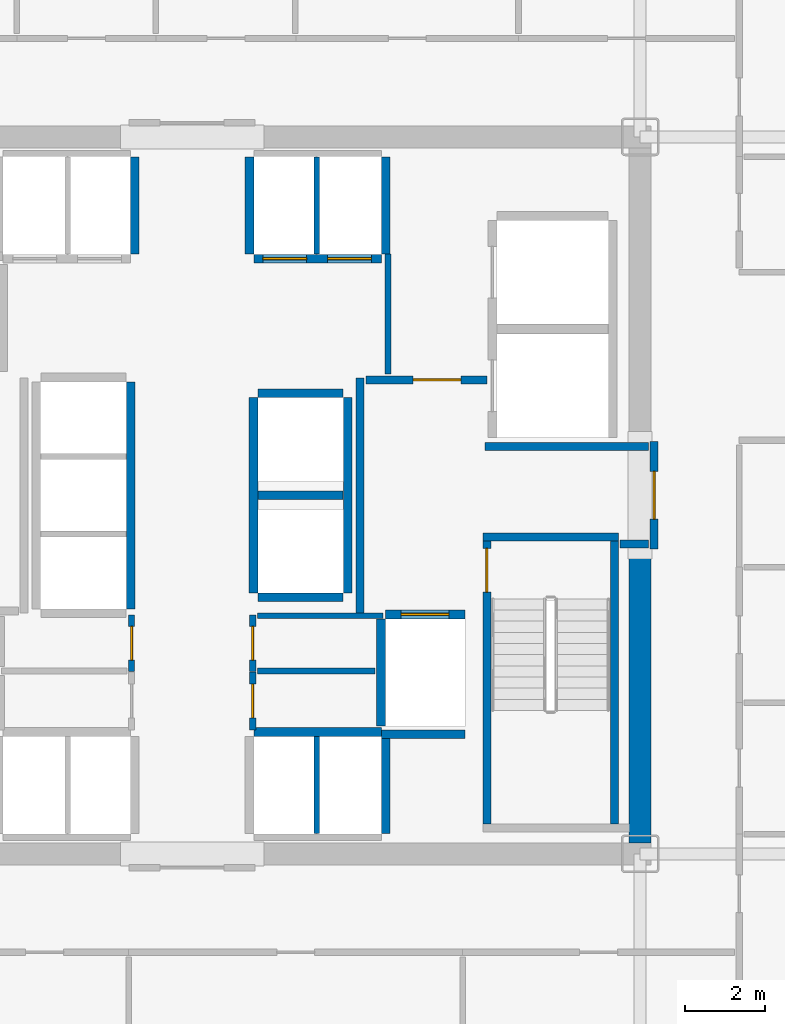
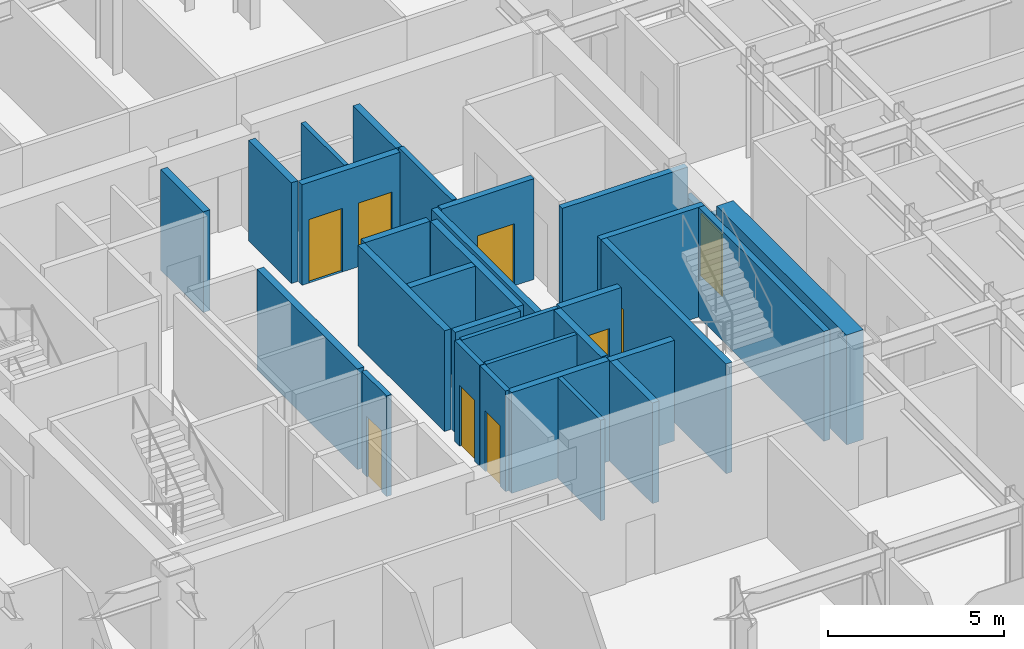
# One storey, part 22 of 26: 32 walls, 9 doors, 9 openings.
"""IFC4 building model written with IfcOpenShell, lengths in metres."""

from ifc_helpers import new_model, si_unit, direction, frame, frame_2d, origin, place, context, subcontext, project, spatial, rectangle, extrude, source, transform, mapped, material, layer, layer_set, type_object, element, fill, save


model = new_model("IFC4")

# Units and contexts
model_context = context("Model", 3, precision=1e-05, world=origin(), true_north=direction((0.0, 1.0)))
body_context = subcontext(model_context, "Body", "Model", "MODEL_VIEW")
ifc_project = project(units=[si_unit("LENGTHUNIT", "METRE"), si_unit("AREAUNIT", "SQUARE_METRE"), si_unit("VOLUMEUNIT", "CUBIC_METRE"), si_unit("PLANEANGLEUNIT", "RADIAN"), si_unit("MASSUNIT", "GRAM", prefix="KILO")], contexts=[model_context])

# Site, building, storey
site_placement = place(None, origin())
site = spatial("IfcSite", under=ifc_project, at=site_placement, CompositionType="ELEMENT")
building_placement = place(site_placement, origin())
building = spatial("IfcBuilding", under=site, at=building_placement, Name="Nefas-Gora Pilgrimage Tower", CompositionType="ELEMENT")
storey_placement = place(building_placement, frame((0.0, 0.0, 140.199951171875)))
storey = spatial("IfcBuildingStorey", under=building, at=storey_placement, Name="L34", CompositionType="ELEMENT", Elevation=140.199951171875)

# Walls
ifc_material_1 = material(Name="Concrete C60/75", Category="concrete")
ifc_layer_1 = layer(ifc_material_1, 0.550048828125)
ifc_layer_set_1 = layer_set([ifc_layer_1], Name="Concrete C60/75")
wall_type_1 = type_object("IfcWallType", Name="SW-CORE-550", PredefinedType="SHEAR", material=ifc_layer_set_1)
shared_shape_1 = source(origin(), body_context, "Body", "SweptSolid", [
    extrude(rectangle(XDim=7.375, YDim=0.550048828125, at=frame_2d((3.6875, 0.0))), origin(), (0.0, 0.0, 1.0), 3.800048828125),
])
wall_1_placement = place(storey_placement, frame((11.25, -8.72509765625, 0.0), z_axis=(0.0, 0.0, 1.0), x_axis=(0.0, 1.0, 0.0)))
element("IfcWall", 1, at=wall_1_placement, inside=storey, type_object=wall_type_1, Name="L34 Core Shear Wall E-South", PredefinedType="SHEAR", context=body_context, shape_type="MappedRepresentation", body=[
    mapped(shared_shape_1, transform((0.0, 0.0, 0.0), x_axis=(1.0, 0.0, 0.0), y_axis=(0.0, 1.0, 0.0), z_axis=(0.0, 0.0, 1.0), scale=1.0)),
])
ifc_material_2 = material(Name="Concrete C45/55", Category="concrete")
ifc_layer_2 = layer(ifc_material_2, 0.199951171875)
ifc_layer_set_2 = layer_set([ifc_layer_2], Name="Concrete C45/55")
wall_type_2 = type_object("IfcWallType", Name="IW-STAIR-200", PredefinedType="SOLIDWALL", material=ifc_layer_set_2)
shared_shape_2 = source(origin(), body_context, "Body", "SweptSolid", [
    extrude(rectangle(XDim=3.39990234375, YDim=0.199951171875, at=frame_2d((1.699951171875, 0.0))), origin(), (0.0, 0.0, 1.0), 3.800048828125),
])
wall_2_placement = place(storey_placement, frame((7.300048828125, -1.050048828125, 0.0), z_axis=(0.0, 0.0, 1.0), x_axis=(1.0, 0.0, 0.0)))
element("IfcWall", 2, at=wall_2_placement, inside=storey, type_object=wall_type_2, Name="L34 Stairwell Shear Wall ST-02-near", PredefinedType="SOLIDWALL", context=body_context, shape_type="MappedRepresentation", body=[
    mapped(shared_shape_2, transform((0.0, 0.0, 0.0), x_axis=(1.0, 0.0, 0.0), y_axis=(0.0, 1.0, 0.0), z_axis=(0.0, 0.0, 1.0), scale=1.0)),
])

# Wall, opening, door
shared_shape_3 = source(origin(), body_context, "Body", "SweptSolid", [
    extrude(rectangle(XDim=7.10009765625, YDim=0.199951171875, at=frame_2d((3.550048828125, 0.0))), origin(), (0.0, 0.0, 1.0), 3.800048828125),
])
wall_3_placement = place(storey_placement, frame((7.39990234375, -1.14990234375, 0.0), z_axis=(0.0, 0.0, 1.0), x_axis=(0.0, -1.0, 0.0)))
wall_3 = element("IfcWall", 3, at=wall_3_placement, inside=storey, type_object=wall_type_2, Name="L34 Stairwell Shear Wall ST-02-left", PredefinedType="SOLIDWALL", context=body_context, shape_type="MappedRepresentation", body=[
    mapped(shared_shape_3, transform((0.0, 0.0, 0.0), x_axis=(1.0, 0.0, 0.0), y_axis=(0.0, 1.0, 0.0), z_axis=(0.0, 0.0, 1.0), scale=1.0)),
])
opening_1_placement = place(wall_3_placement, frame((0.179931640625, 0.0, 0.0)))
opening_1 = element("IfcOpeningElement", 4, at=opening_1_placement, cuts=wall_3, Name="Opening ID-ST1", PredefinedType="OPENING", context=body_context, shape_type="SweptSolid", body=[
    extrude(rectangle(XDim=1.10009765625, YDim=2.14990234375, at=frame_2d((0.550048828125, 1.074951171875))), frame((0.0, 0.10986328125, 0.0), z_axis=(0.0, -1.0, 0.0), x_axis=(1.0, 0.0, 0.0)), (0.0, 0.0, 1.0), 0.219970703125),
])
ifc_material_3 = material(Name="Painted galvanised steel fire stair door", Category="steel")
door_type_1 = type_object("IfcDoorType", Name="DR-INT-STAIR-1100", OperationType="NOTDEFINED", PredefinedType="DOOR", material=ifc_material_3)
shared_shape_4 = source(origin(), body_context, "Body", "SweptSolid", [
    extrude(rectangle(XDim=1.10009765625, YDim=2.14990234375, at=frame_2d((0.550048828125, 1.074951171875))), frame((0.0, 0.02490234375, 0.0), z_axis=(0.0, -1.0, 0.0), x_axis=(1.0, 0.0, 0.0)), (0.0, 0.0, 1.0), 0.050048828125),
])
door_1_placement = place(opening_1_placement, origin())
door_1 = element("IfcDoor", 5, at=door_1_placement, inside=storey, type_object=door_type_1, Name="L34 Protected Exit Stair Door ST-02", OperationType="SINGLE_SWING_LEFT", OverallHeight=2.14990234375, OverallWidth=1.10009765625, PredefinedType="DOOR", context=body_context, shape_type="MappedRepresentation", body=[
    mapped(shared_shape_4, transform((0.0, 0.0, 0.0), x_axis=(1.0, 0.0, 0.0), y_axis=(0.0, 1.0, 0.0), z_axis=(0.0, 0.0, 1.0), scale=1.0)),
])
fill(opening_1, door_1)

# Wall
wall_4_placement = place(storey_placement, frame((10.60009765625, -1.14990234375, 0.0), z_axis=(0.0, 0.0, 1.0), x_axis=(0.0, -1.0, 0.0)))
element("IfcWall", 6, at=wall_4_placement, inside=storey, type_object=wall_type_2, Name="L34 Stairwell Shear Wall ST-02-right", PredefinedType="SOLIDWALL", context=body_context, shape_type="MappedRepresentation", body=[
    mapped(shared_shape_3, transform((0.0, 0.0, 0.0), x_axis=(1.0, 0.0, 0.0), y_axis=(0.0, 1.0, 0.0), z_axis=(0.0, 0.0, 1.0), scale=1.0)),
])

# Wall, opening, door
ifc_material_4 = material(Name="Concrete C40/50", Category="concrete")
ifc_layer_3 = layer(ifc_material_4, 0.219970703125)
ifc_layer_set_3 = layer_set([ifc_layer_3], Name="Concrete C40/50")
wall_type_3 = type_object("IfcWallType", Name="IW-SHAFT-220", PredefinedType="SOLIDWALL", material=ifc_layer_set_3)
shared_shape_5 = source(origin(), body_context, "Body", "SweptSolid", [
    extrude(rectangle(XDim=2.0, YDim=0.219970703125, at=frame_2d((1.0, 0.0))), origin(), (0.0, 0.0, 1.0), 3.485107421875),
])
wall_5_placement = place(storey_placement, frame((6.85009765625, -2.989990234375, 0.0), z_axis=(0.0, 0.0, 1.0), x_axis=(-1.0, 0.0, 0.0)))
wall_5 = element("IfcWall", 7, at=wall_5_placement, inside=storey, type_object=wall_type_3, Name="L34 Hoistway Wall FFL-02-N", PredefinedType="SOLIDWALL", context=body_context, shape_type="MappedRepresentation", body=[
    mapped(shared_shape_5, transform((0.0, 0.0, 0.0), x_axis=(1.0, 0.0, 0.0), y_axis=(0.0, 1.0, 0.0), z_axis=(0.0, 0.0, 1.0), scale=1.0)),
])
opening_2_placement = place(wall_5_placement, frame((0.39990234375, 0.0, 0.0)))
opening_2 = element("IfcOpeningElement", 8, at=opening_2_placement, cuts=wall_5, Name="Opening LD-FF", PredefinedType="OPENING", context=body_context, shape_type="SweptSolid", body=[
    extrude(rectangle(XDim=1.199951171875, YDim=2.199951171875, at=frame_2d((0.60009765625, 1.10009765625))), frame((0.0, 0.119873046875, 0.0), z_axis=(0.0, -1.0, 0.0), x_axis=(1.0, 0.0, 0.0)), (0.0, 0.0, 1.0), 0.239990234375),
])
ifc_material_5 = material(Name="Fire-service sliding lift landing door")
door_type_2 = type_object("IfcDoorType", Name="DR-LIFT-FSAE-1200", OperationType="SLIDING_TO_LEFT", PredefinedType="DOOR", material=ifc_material_5)
shared_shape_6 = source(origin(), body_context, "Body", "SweptSolid", [
    extrude(rectangle(XDim=1.199951171875, YDim=2.199951171875, at=frame_2d((0.60009765625, 1.10009765625))), frame((0.0, 0.02490234375, 0.0), z_axis=(0.0, -1.0, 0.0), x_axis=(1.0, 0.0, 0.0)), (0.0, 0.0, 1.0), 0.050048828125),
])
door_2_placement = place(opening_2_placement, origin())
door_2 = element("IfcDoor", 9, at=door_2_placement, inside=storey, type_object=door_type_2, Name="L34 Sliding Lift Landing Door FFL-02", OperationType="SLIDING_TO_LEFT", OverallHeight=2.199951171875, OverallWidth=1.199951171875, PredefinedType="DOOR", context=body_context, shape_type="MappedRepresentation", body=[
    mapped(shared_shape_6, transform((0.0, 0.0, 0.0), x_axis=(1.0, 0.0, 0.0), y_axis=(0.0, 1.0, 0.0), z_axis=(0.0, 0.0, 1.0), scale=1.0)),
])
fill(opening_2, door_2)

# Wall
shared_shape_7 = source(origin(), body_context, "Body", "SweptSolid", [
    extrude(rectangle(XDim=2.679931640625, YDim=0.219970703125, at=frame_2d((1.33984375, 0.0))), origin(), (0.0, 0.0, 1.0), 3.485107421875),
])
wall_6_placement = place(storey_placement, frame((4.739990234375, -3.110107421875, 0.0), z_axis=(0.0, 0.0, 1.0), x_axis=(0.0, -1.0, 0.0)))
element("IfcWall", 10, at=wall_6_placement, inside=storey, type_object=wall_type_3, Name="L34 Hoistway Wall FFL-02-W", PredefinedType="SOLIDWALL", context=body_context, shape_type="MappedRepresentation", body=[
    mapped(shared_shape_7, transform((0.0, 0.0, 0.0), x_axis=(1.0, 0.0, 0.0), y_axis=(0.0, 1.0, 0.0), z_axis=(0.0, 0.0, 1.0), scale=1.0)),
])

# Wall, openings, doors
shared_shape_8 = source(origin(), body_context, "Body", "SweptSolid", [
    extrude(rectangle(XDim=3.199951171875, YDim=0.219970703125, at=frame_2d((1.60009765625, 0.0))), origin(), (0.0, 0.0, 1.0), 3.485107421875),
])
wall_7_placement = place(storey_placement, frame((1.550048828125, 5.93994140625, 0.0), z_axis=(0.0, 0.0, 1.0), x_axis=(1.0, 0.0, 0.0)))
wall_7 = element("IfcWall", 11, at=wall_7_placement, inside=storey, type_object=wall_type_3, Name="L34 Hoistway Wall PL1-E-S", PredefinedType="SOLIDWALL", context=body_context, shape_type="MappedRepresentation", body=[
    mapped(shared_shape_8, transform((0.0, 0.0, 0.0), x_axis=(1.0, 0.0, 0.0), y_axis=(0.0, 1.0, 0.0), z_axis=(0.0, 0.0, 1.0), scale=1.0)),
])
opening_3_placement = place(wall_7_placement, frame((0.22509765625, 0.0, 0.0)))
opening_3 = element("IfcOpeningElement", 12, at=opening_3_placement, cuts=wall_7, Name="Opening LD-01", PredefinedType="OPENING", context=body_context, shape_type="SweptSolid", body=[
    extrude(rectangle(XDim=1.10009765625, YDim=2.199951171875, at=frame_2d((0.550048828125, 1.10009765625))), frame((0.0, 0.119873046875, 0.0), z_axis=(0.0, -1.0, 0.0), x_axis=(1.0, 0.0, 0.0)), (0.0, 0.0, 1.0), 0.239990234375),
])
opening_4_placement = place(wall_7_placement, frame((1.85009765625, 0.0, 0.0)))
opening_4 = element("IfcOpeningElement", 13, at=opening_4_placement, cuts=wall_7, Name="Opening LD-01", PredefinedType="OPENING", context=body_context, shape_type="SweptSolid", body=[
    extrude(rectangle(XDim=1.10009765625, YDim=2.199951171875, at=frame_2d((0.550048828125, 1.10009765625))), frame((0.0, 0.119873046875, 0.0), z_axis=(0.0, -1.0, 0.0), x_axis=(1.0, 0.0, 0.0)), (0.0, 0.0, 1.0), 0.239990234375),
])
ifc_material_6 = material(Name="Brushed stainless sliding lift landing door")
door_type_3 = type_object("IfcDoorType", Name="DR-LIFT-PASS-1100", OperationType="DOUBLE_DOOR_SLIDING", PredefinedType="DOOR", material=ifc_material_6)
shared_shape_9 = source(origin(), body_context, "Body", "SweptSolid", [
    extrude(rectangle(XDim=1.10009765625, YDim=2.199951171875, at=frame_2d((0.550048828125, 1.10009765625))), frame((0.0, 0.02490234375, 0.0), z_axis=(0.0, -1.0, 0.0), x_axis=(1.0, 0.0, 0.0)), (0.0, 0.0, 1.0), 0.050048828125),
])
door_3_placement = place(opening_3_placement, origin())
door_3 = element("IfcDoor", 14, at=door_3_placement, inside=storey, type_object=door_type_3, Name="L34 Sliding Lift Landing Door PL1-03", OperationType="DOUBLE_DOOR_SLIDING", OverallHeight=2.199951171875, OverallWidth=1.10009765625, PredefinedType="DOOR", context=body_context, shape_type="MappedRepresentation", body=[
    mapped(shared_shape_9, transform((0.0, 0.0, 0.0), x_axis=(1.0, 0.0, 0.0), y_axis=(0.0, 1.0, 0.0), z_axis=(0.0, 0.0, 1.0), scale=1.0)),
])
fill(opening_3, door_3)
door_4_placement = place(opening_4_placement, origin())
door_4 = element("IfcDoor", 15, at=door_4_placement, inside=storey, type_object=door_type_3, Name="L34 Sliding Lift Landing Door PL1-04", OperationType="DOUBLE_DOOR_SLIDING", OverallHeight=2.199951171875, OverallWidth=1.10009765625, PredefinedType="DOOR", context=body_context, shape_type="MappedRepresentation", body=[
    mapped(shared_shape_9, transform((0.0, 0.0, 0.0), x_axis=(1.0, 0.0, 0.0), y_axis=(0.0, 1.0, 0.0), z_axis=(0.0, 0.0, 1.0), scale=1.0)),
])
fill(opening_4, door_4)

# Walls
wall_8_placement = place(storey_placement, frame((4.75, -5.93994140625, 0.0), z_axis=(0.0, 0.0, 1.0), x_axis=(-1.0, 0.0, 0.0)))
element("IfcWall", 16, at=wall_8_placement, inside=storey, type_object=wall_type_3, Name="L34 Hoistway Wall PL2-E-N", PredefinedType="SOLIDWALL", context=body_context, shape_type="MappedRepresentation", body=[
    mapped(shared_shape_8, transform((0.0, 0.0, 0.0), x_axis=(1.0, 0.0, 0.0), y_axis=(0.0, 1.0, 0.0), z_axis=(0.0, 0.0, 1.0), scale=1.0)),
])
shared_shape_10 = source(origin(), body_context, "Body", "SweptSolid", [
    extrude(rectangle(XDim=2.429931640625, YDim=0.219970703125, at=frame_2d((1.21484375, 0.0))), origin(), (0.0, 0.0, 1.0), 3.485107421875),
])
for number, where, z_axis, x_axis, name in (
    (17, (-1.43994140625, 6.06005859375, 0.0), (0.0, 0.0, 1.0), (0.0, 1.0, 0.0), "L34 Hoistway Wall PL1-W-E"),
    (18, (1.43994140625, 8.489990234375, 0.0), (0.0, 0.0, 1.0), (0.0, -1.0, 0.0), "L34 Hoistway Wall PL1-E-W"),
    (19, (4.860107421875, 6.06005859375, 0.0), (0.0, 0.0, 1.0), (0.0, 1.0, 0.0), "L34 Hoistway Wall PL1-E-E"),
    (20, (4.860107421875, -8.489990234375, 0.0), (0.0, 0.0, 1.0), (0.0, 1.0, 0.0), "L34 Hoistway Wall PL2-E-E"),
):
    element("IfcWall", number, at=place(storey_placement, frame(where, z_axis=z_axis, x_axis=x_axis)), inside=storey, type_object=wall_type_3, Name=name, PredefinedType="SOLIDWALL", context=body_context, shape_type="MappedRepresentation", body=[
        mapped(shared_shape_10, transform((0.0, 0.0, 0.0), x_axis=(1.0, 0.0, 0.0), y_axis=(0.0, 1.0, 0.0), z_axis=(0.0, 0.0, 1.0), scale=1.0)),
    ])
ifc_material_7 = material(Name="Gypsum twin-stud partition")
ifc_layer_4 = layer(ifc_material_7, 0.139892578125)
ifc_layer_set_4 = layer_set([ifc_layer_4], Name="Gypsum twin-stud partition")
wall_type_4 = type_object("IfcWallType", Name="IW-UNIT-140", PredefinedType="PARTITIONING", material=ifc_layer_set_4)
shared_shape_11 = source(origin(), body_context, "Body", "SweptSolid", [
    extrude(rectangle(XDim=2.429931640625, YDim=0.139892578125, at=frame_2d((1.21484375, 0.0))), origin(), (0.0, 0.0, 1.0), 3.485107421875),
])
for number, where, z_axis, x_axis, name in (
    (21, (3.125, 6.06005859375, 0.0), (0.0, 0.0, 1.0), (0.0, 1.0, 0.0), "L34 Hoistway Wall PL1-E-DIV"),
    (22, (3.125, -8.489990234375, 0.0), (0.0, 0.0, 1.0), (0.0, 1.0, 0.0), "L34 Hoistway Wall PL2-E-DIV"),
):
    element("IfcWall", number, at=place(storey_placement, frame(where, z_axis=z_axis, x_axis=x_axis)), inside=storey, type_object=wall_type_4, Name=name, PredefinedType="PARTITIONING", context=body_context, shape_type="MappedRepresentation", body=[
        mapped(shared_shape_11, transform((0.0, 0.0, 0.0), x_axis=(1.0, 0.0, 0.0), y_axis=(0.0, 1.0, 0.0), z_axis=(0.0, 0.0, 1.0), scale=1.0)),
    ])
shared_shape_12 = source(origin(), body_context, "Body", "SweptSolid", [
    extrude(rectangle(XDim=5.7001953125, YDim=0.219970703125, at=frame_2d((2.85009765625, 0.0))), origin(), (0.0, 0.0, 1.0), 3.485107421875),
])
wall_9_placement = place(storey_placement, frame((-1.5400390625, -2.85009765625, 0.0), z_axis=(0.0, 0.0, 1.0), x_axis=(0.0, 1.0, 0.0)))
element("IfcWall", 23, at=wall_9_placement, inside=storey, type_object=wall_type_3, Name="L34 Hoistway Wall PL3-01-03-E", PredefinedType="SOLIDWALL", context=body_context, shape_type="MappedRepresentation", body=[
    mapped(shared_shape_12, transform((0.0, 0.0, 0.0), x_axis=(1.0, 0.0, 0.0), y_axis=(0.0, 1.0, 0.0), z_axis=(0.0, 0.0, 1.0), scale=1.0)),
])
shared_shape_13 = source(origin(), body_context, "Body", "SweptSolid", [
    extrude(rectangle(XDim=2.130126953125, YDim=0.219970703125, at=frame_2d((1.06494140625, 0.0))), origin(), (0.0, 0.0, 1.0), 3.485107421875),
])
for number, where, z_axis, x_axis, name in (
    (24, (1.659912109375, -2.56005859375, 0.0), (0.0, 0.0, 1.0), (1.0, 0.0, 0.0), "L34 Hoistway Wall OBS-01-S"),
    (25, (1.659912109375, 0.0, 0.0), (0.0, 0.0, 1.0), (1.0, 0.0, 0.0), "L34 Hoistway Wall OBS-01-02-DIV"),
    (26, (3.7900390625, 2.56005859375, 0.0), (0.0, 0.0, 1.0), (-1.0, 0.0, 0.0), "L34 Hoistway Wall OBS-02-N"),
):
    element("IfcWall", number, at=place(storey_placement, frame(where, z_axis=z_axis, x_axis=x_axis)), inside=storey, type_object=wall_type_3, Name=name, PredefinedType="SOLIDWALL", context=body_context, shape_type="MappedRepresentation", body=[
        mapped(shared_shape_13, transform((0.0, 0.0, 0.0), x_axis=(1.0, 0.0, 0.0), y_axis=(0.0, 1.0, 0.0), z_axis=(0.0, 0.0, 1.0), scale=1.0)),
    ])
shared_shape_14 = source(origin(), body_context, "Body", "SweptSolid", [
    extrude(rectangle(XDim=4.89990234375, YDim=0.219970703125, at=frame_2d((2.449951171875, 0.0))), origin(), (0.0, 0.0, 1.0), 3.485107421875),
])
for number, where, z_axis, x_axis, name in (
    (27, (1.5400390625, 2.449951171875, 0.0), (0.0, 0.0, 1.0), (0.0, -1.0, 0.0), "L34 Hoistway Wall OBS-01-02-W"),
    (28, (3.909912109375, -2.449951171875, 0.0), (0.0, 0.0, 1.0), (0.0, 1.0, 0.0), "L34 Hoistway Wall OBS-01-02-E"),
):
    element("IfcWall", number, at=place(storey_placement, frame(where, z_axis=z_axis, x_axis=x_axis)), inside=storey, type_object=wall_type_3, Name=name, PredefinedType="SOLIDWALL", context=body_context, shape_type="MappedRepresentation", body=[
        mapped(shared_shape_14, transform((0.0, 0.0, 0.0), x_axis=(1.0, 0.0, 0.0), y_axis=(0.0, 1.0, 0.0), z_axis=(0.0, 0.0, 1.0), scale=1.0)),
    ])
shared_shape_15 = source(origin(), body_context, "Body", "SweptSolid", [
    extrude(rectangle(XDim=2.09521484375, YDim=0.219970703125, at=frame_2d((1.047607421875, 0.0))), origin(), (0.0, 0.0, 1.0), 3.485107421875),
])
wall_10_placement = place(storey_placement, frame((4.7548828125, -6.0, 0.0), z_axis=(0.0, 0.0, 1.0), x_axis=(1.0, 0.0, 0.0)))
element("IfcWall", 29, at=wall_10_placement, inside=storey, type_object=wall_type_3, Name="L34 Riser Shaft Wall 2", PredefinedType="SOLIDWALL", context=body_context, shape_type="MappedRepresentation", body=[
    mapped(shared_shape_15, transform((0.0, 0.0, 0.0), x_axis=(1.0, 0.0, 0.0), y_axis=(0.0, 1.0, 0.0), z_axis=(0.0, 0.0, 1.0), scale=1.0)),
])

# Wall, opening, door
ifc_material_8 = material(Name="Gypsum fire-rated shaftwall")
ifc_layer_5 = layer(ifc_material_8, 0.199951171875)
ifc_layer_set_5 = layer_set([ifc_layer_5], Name="Gypsum fire-rated shaftwall")
wall_type_5 = type_object("IfcWallType", Name="IW-FFLOB-200", PredefinedType="PARTITIONING", material=ifc_layer_set_5)
shared_shape_16 = source(origin(), body_context, "Body", "SweptSolid", [
    extrude(rectangle(XDim=2.7001953125, YDim=0.199951171875, at=frame_2d((1.35009765625, 0.0))), origin(), (0.0, 0.0, 1.0), 2.375),
])
wall_11_placement = place(storey_placement, frame((11.60009765625, -1.35009765625, 0.0), z_axis=(0.0, 0.0, 1.0), x_axis=(0.0, 1.0, 0.0)))
wall_11 = element("IfcWall", 30, at=wall_11_placement, inside=storey, type_object=wall_type_5, Name="L34 FF Lobby East Portal Wall 8", PredefinedType="PARTITIONING", context=body_context, shape_type="MappedRepresentation", body=[
    mapped(shared_shape_16, transform((0.0, 0.0, 0.0), x_axis=(1.0, 0.0, 0.0), y_axis=(0.0, 1.0, 0.0), z_axis=(0.0, 0.0, 1.0), scale=1.0)),
])
opening_5_placement = place(wall_11_placement, frame((0.75, 0.0, 0.0)))
opening_5 = element("IfcOpeningElement", 31, at=opening_5_placement, cuts=wall_11, Name="Opening ID-FF1", PredefinedType="OPENING", context=body_context, shape_type="SweptSolid", body=[
    extrude(rectangle(XDim=1.199951171875, YDim=2.14990234375, at=frame_2d((0.60009765625, 1.074951171875))), frame((0.0, 0.10986328125, 0.0), z_axis=(0.0, -1.0, 0.0), x_axis=(1.0, 0.0, 0.0)), (0.0, 0.0, 1.0), 0.219970703125),
])
ifc_material_9 = material(Name="Smoke-sealed steel firefighting lobby door", Category="steel")
door_type_4 = type_object("IfcDoorType", Name="DR-INT-FFLOB-1200", OperationType="NOTDEFINED", PredefinedType="DOOR", material=ifc_material_9)
shared_shape_17 = source(origin(), body_context, "Body", "SweptSolid", [
    extrude(rectangle(XDim=1.199951171875, YDim=2.14990234375, at=frame_2d((0.60009765625, 1.074951171875))), frame((0.0, 0.02490234375, 0.0), z_axis=(0.0, -1.0, 0.0), x_axis=(1.0, 0.0, 0.0)), (0.0, 0.0, 1.0), 0.050048828125),
])
door_5_placement = place(opening_5_placement, origin())
door_5 = element("IfcDoor", 32, at=door_5_placement, inside=storey, type_object=door_type_4, Name="L34 FF Lobby East Portal Door 2", OperationType="SINGLE_SWING_RIGHT", OverallHeight=2.14990234375, OverallWidth=1.199951171875, PredefinedType="DOOR", context=body_context, shape_type="MappedRepresentation", body=[
    mapped(shared_shape_17, transform((0.0, 0.0, 0.0), x_axis=(1.0, 0.0, 0.0), y_axis=(0.0, 1.0, 0.0), z_axis=(0.0, 0.0, 1.0), scale=1.0)),
])
fill(opening_5, door_5)

# Walls
shared_shape_18 = source(origin(), body_context, "Body", "SweptSolid", [
    extrude(rectangle(XDim=5.89990234375, YDim=0.199951171875, at=frame_2d((2.949951171875, 0.0))), origin(), (0.0, 0.0, 1.0), 3.485107421875),
])
wall_12_placement = place(storey_placement, frame((4.219970703125, -2.949951171875, 0.0), z_axis=(0.0, 0.0, 1.0), x_axis=(0.0, 1.0, 0.0)))
element("IfcWall", 33, at=wall_12_placement, inside=storey, type_object=wall_type_5, Name="L34 FF Lobby East Inner Wall Wall 9", PredefinedType="PARTITIONING", context=body_context, shape_type="MappedRepresentation", body=[
    mapped(shared_shape_18, transform((0.0, 0.0, 0.0), x_axis=(1.0, 0.0, 0.0), y_axis=(0.0, 1.0, 0.0), z_axis=(0.0, 0.0, 1.0), scale=1.0)),
])
shared_shape_19 = source(origin(), body_context, "Body", "SweptSolid", [
    extrude(rectangle(XDim=0.719970703125, YDim=0.199951171875, at=frame_2d((0.35986328125, 0.0))), origin(), (0.0, 0.0, 1.0), 3.485107421875),
])
wall_13_placement = place(storey_placement, frame((10.739990234375, -1.219970703125, 0.0), z_axis=(0.0, 0.0, 1.0), x_axis=(1.0, 0.0, 0.0)))
element("IfcWall", 34, at=wall_13_placement, inside=storey, type_object=wall_type_5, Name="L34 FF Lobby East Throat S Wall 12", PredefinedType="PARTITIONING", context=body_context, shape_type="MappedRepresentation", body=[
    mapped(shared_shape_19, transform((0.0, 0.0, 0.0), x_axis=(1.0, 0.0, 0.0), y_axis=(0.0, 1.0, 0.0), z_axis=(0.0, 0.0, 1.0), scale=1.0)),
])

# Wall, opening, door
shared_shape_20 = source(origin(), body_context, "Body", "SweptSolid", [
    extrude(rectangle(XDim=3.039794921875, YDim=0.199951171875, at=frame_2d((1.52001953125, 0.0))), origin(), (0.0, 0.0, 1.0), 3.485107421875),
])
wall_14_placement = place(storey_placement, frame((4.360107421875, 2.89990234375, 0.0), z_axis=(0.0, 0.0, 1.0), x_axis=(1.0, 0.0, 0.0)))
wall_14 = element("IfcWall", 35, at=wall_14_placement, inside=storey, type_object=wall_type_5, Name="L34 FF Lobby East North Wall Wall 10", PredefinedType="PARTITIONING", context=body_context, shape_type="MappedRepresentation", body=[
    mapped(shared_shape_20, transform((0.0, 0.0, 0.0), x_axis=(1.0, 0.0, 0.0), y_axis=(0.0, 1.0, 0.0), z_axis=(0.0, 0.0, 1.0), scale=1.0)),
])
opening_6_placement = place(wall_14_placement, frame((1.18994140625, 0.0, 0.0)))
opening_6 = element("IfcOpeningElement", 36, at=opening_6_placement, cuts=wall_14, Name="Opening ID-PL1", PredefinedType="OPENING", context=body_context, shape_type="SweptSolid", body=[
    extrude(rectangle(XDim=1.199951171875, YDim=2.14990234375, at=frame_2d((0.60009765625, 1.074951171875))), frame((0.0, 0.10986328125, 0.0), z_axis=(0.0, -1.0, 0.0), x_axis=(1.0, 0.0, 0.0)), (0.0, 0.0, 1.0), 0.219970703125),
])
ifc_material_10 = material(Name="Heavy-duty steel plant room fire door", Category="steel")
door_type_5 = type_object("IfcDoorType", Name="DR-INT-PLANT-1200", OperationType="NOTDEFINED", PredefinedType="DOOR", material=ifc_material_10)
door_6_placement = place(opening_6_placement, origin())
door_6 = element("IfcDoor", 37, at=door_6_placement, inside=storey, type_object=door_type_5, Name="L34 Service Lift Lobby Door Door 3", OperationType="SINGLE_SWING_LEFT", OverallHeight=2.14990234375, OverallWidth=1.199951171875, PredefinedType="DOOR", context=body_context, shape_type="MappedRepresentation", body=[
    mapped(shared_shape_17, transform((0.0, 0.0, 0.0), x_axis=(1.0, 0.0, 0.0), y_axis=(0.0, 1.0, 0.0), z_axis=(0.0, 0.0, 1.0), scale=1.0)),
])
fill(opening_6, door_6)

# Walls
shared_shape_21 = source(origin(), body_context, "Body", "SweptSolid", [
    extrude(rectangle(XDim=4.10986328125, YDim=0.199951171875, at=frame_2d((2.054931640625, 0.0))), origin(), (0.0, 0.0, 1.0), 3.485107421875),
])
wall_15_placement = place(storey_placement, frame((7.35009765625, 1.219970703125, 0.0), z_axis=(0.0, 0.0, 1.0), x_axis=(1.0, 0.0, 0.0)))
element("IfcWall", 38, at=wall_15_placement, inside=storey, type_object=wall_type_5, Name="L34 FF Lobby East Throat N Wall 11", PredefinedType="PARTITIONING", context=body_context, shape_type="MappedRepresentation", body=[
    mapped(shared_shape_21, transform((0.0, 0.0, 0.0), x_axis=(1.0, 0.0, 0.0), y_axis=(0.0, 1.0, 0.0), z_axis=(0.0, 0.0, 1.0), scale=1.0)),
])
ifc_material_11 = material(Name="Gypsum acoustic stud partition")
ifc_layer_6 = layer(ifc_material_11, 0.159912109375)
ifc_layer_set_6 = layer_set([ifc_layer_6], Name="Gypsum acoustic stud partition")
wall_type_6 = type_object("IfcWallType", Name="IW-CORR-160", PredefinedType="PARTITIONING", material=ifc_layer_set_6)
shared_shape_22 = source(origin(), body_context, "Body", "SweptSolid", [
    extrude(rectangle(XDim=3.014892578125, YDim=0.159912109375, at=frame_2d((1.50732421875, 0.0))), origin(), (0.0, 0.0, 1.0), 3.485107421875),
])
wall_16_placement = place(storey_placement, frame((4.919921875, 3.0400390625, 0.0), z_axis=(0.0, 0.0, 1.0), x_axis=(0.0, 1.0, 0.0)))
element("IfcWall", 39, at=wall_16_placement, inside=storey, type_object=wall_type_6, Name="L34 Service Lift Lobby West Wall Wall 15", PredefinedType="PARTITIONING", context=body_context, shape_type="MappedRepresentation", body=[
    mapped(shared_shape_22, transform((0.0, 0.0, 0.0), x_axis=(1.0, 0.0, 0.0), y_axis=(0.0, 1.0, 0.0), z_axis=(0.0, 0.0, 1.0), scale=1.0)),
])
shared_shape_23 = source(origin(), body_context, "Body", "SweptSolid", [
    extrude(rectangle(XDim=2.9501953125, YDim=0.139892578125, at=frame_2d((1.47509765625, 0.0))), origin(), (0.0, 0.0, 1.0), 3.485107421875),
])
wall_17_placement = place(storey_placement, frame((1.639892578125, -4.409912109375, 0.0), z_axis=(0.0, 0.0, 1.0), x_axis=(1.0, 0.0, 0.0)))
element("IfcWall", 40, at=wall_17_placement, inside=storey, type_object=wall_type_4, Name="L34 Clean Blanket and Robe Store Partition Wall 23", PredefinedType="PARTITIONING", context=body_context, shape_type="MappedRepresentation", body=[
    mapped(shared_shape_23, transform((0.0, 0.0, 0.0), x_axis=(1.0, 0.0, 0.0), y_axis=(0.0, 1.0, 0.0), z_axis=(0.0, 0.0, 1.0), scale=1.0)),
])

# Wall, opening, door
shared_shape_24 = source(origin(), body_context, "Body", "SweptSolid", [
    extrude(rectangle(XDim=1.409912109375, YDim=0.159912109375, at=frame_2d((0.705078125, 0.0))), origin(), (0.0, 0.0, 1.0), 3.485107421875),
])
wall_18_placement = place(storey_placement, frame((-1.52001953125, -4.419921875, 0.0), z_axis=(0.0, 0.0, 1.0), x_axis=(0.0, 1.0, 0.0)))
wall_18 = element("IfcWall", 41, at=wall_18_placement, inside=storey, type_object=wall_type_6, Name="L34 Housekeeping and Linen Store Wall 16", PredefinedType="PARTITIONING", context=body_context, shape_type="MappedRepresentation", body=[
    mapped(shared_shape_24, transform((0.0, 0.0, 0.0), x_axis=(1.0, 0.0, 0.0), y_axis=(0.0, 1.0, 0.0), z_axis=(0.0, 0.0, 1.0), scale=1.0)),
])
opening_7_placement = place(wall_18_placement, frame((0.280029296875, 0.0, 0.0)))
opening_7 = element("IfcOpeningElement", 42, at=opening_7_placement, cuts=wall_18, Name="Opening ID-BT1", PredefinedType="OPENING", context=body_context, shape_type="SweptSolid", body=[
    extrude(rectangle(XDim=0.85009765625, YDim=2.10009765625, at=frame_2d((0.425048828125, 1.050048828125))), frame((0.0, 0.08984375, 0.0), z_axis=(0.0, -1.0, 0.0), x_axis=(1.0, 0.0, 0.0)), (0.0, 0.0, 1.0), 0.179931640625),
])
ifc_material_12 = material(Name="Moisture-resistant fire-rated timber door", Category="wood")
door_type_6 = type_object("IfcDoorType", Name="DR-INT-BATH-850", OperationType="NOTDEFINED", PredefinedType="DOOR", material=ifc_material_12)
shared_shape_25 = source(origin(), body_context, "Body", "SweptSolid", [
    extrude(rectangle(XDim=0.85009765625, YDim=2.10009765625, at=frame_2d((0.425048828125, 1.050048828125))), frame((0.0, 0.02490234375, 0.0), z_axis=(0.0, -1.0, 0.0), x_axis=(1.0, 0.0, 0.0)), (0.0, 0.0, 1.0), 0.050048828125),
])
door_7_placement = place(opening_7_placement, origin())
door_7 = element("IfcDoor", 43, at=door_7_placement, inside=storey, type_object=door_type_6, Name="L34 Housekeeping and Linen Store Door 6", OperationType="SINGLE_SWING_RIGHT", OverallHeight=2.10009765625, OverallWidth=0.85009765625, PredefinedType="DOOR", context=body_context, shape_type="MappedRepresentation", body=[
    mapped(shared_shape_25, transform((0.0, 0.0, 0.0), x_axis=(1.0, 0.0, 0.0), y_axis=(0.0, 1.0, 0.0), z_axis=(0.0, 0.0, 1.0), scale=1.0)),
])
fill(opening_7, door_7)

wall_19_placement = place(storey_placement, frame((1.52001953125, -4.419921875, 0.0), z_axis=(0.0, 0.0, 1.0), x_axis=(0.0, 1.0, 0.0)))
wall_19 = element("IfcWall", 44, at=wall_19_placement, inside=storey, type_object=wall_type_6, Name="L34 Clean Blanket and Robe Store Wall 21", PredefinedType="PARTITIONING", context=body_context, shape_type="MappedRepresentation", body=[
    mapped(shared_shape_24, transform((0.0, 0.0, 0.0), x_axis=(1.0, 0.0, 0.0), y_axis=(0.0, 1.0, 0.0), z_axis=(0.0, 0.0, 1.0), scale=1.0)),
])
opening_8_placement = place(wall_19_placement, frame((0.280029296875, 0.0, 0.0)))
opening_8 = element("IfcOpeningElement", 45, at=opening_8_placement, cuts=wall_19, Name="Opening ID-BT1", PredefinedType="OPENING", context=body_context, shape_type="SweptSolid", body=[
    extrude(rectangle(XDim=0.85009765625, YDim=2.10009765625, at=frame_2d((0.425048828125, 1.050048828125))), frame((0.0, 0.08984375, 0.0), z_axis=(0.0, -1.0, 0.0), x_axis=(1.0, 0.0, 0.0)), (0.0, 0.0, 1.0), 0.179931640625),
])
door_8_placement = place(opening_8_placement, origin())
door_8 = element("IfcDoor", 46, at=door_8_placement, inside=storey, type_object=door_type_6, Name="L34 Clean Blanket and Robe Store Door 8", OperationType="SINGLE_SWING_RIGHT", OverallHeight=2.10009765625, OverallWidth=0.85009765625, PredefinedType="DOOR", context=body_context, shape_type="MappedRepresentation", body=[
    mapped(shared_shape_25, transform((0.0, 0.0, 0.0), x_axis=(1.0, 0.0, 0.0), y_axis=(0.0, 1.0, 0.0), z_axis=(0.0, 0.0, 1.0), scale=1.0)),
])
fill(opening_8, door_8)

# Wall
shared_shape_26 = source(origin(), body_context, "Body", "SweptSolid", [
    extrude(rectangle(XDim=3.150146484375, YDim=0.139892578125, at=frame_2d((1.5751953125, 0.0))), origin(), (0.0, 0.0, 1.0), 3.485107421875),
])
wall_20_placement = place(storey_placement, frame((1.639892578125, -3.02001953125, 0.0), z_axis=(0.0, 0.0, 1.0), x_axis=(1.0, 0.0, 0.0)))
element("IfcWall", 47, at=wall_20_placement, inside=storey, type_object=wall_type_4, Name="L34 Clean Blanket and Robe Store Partition Wall 22", PredefinedType="PARTITIONING", context=body_context, shape_type="MappedRepresentation", body=[
    mapped(shared_shape_26, transform((0.0, 0.0, 0.0), x_axis=(1.0, 0.0, 0.0), y_axis=(0.0, 1.0, 0.0), z_axis=(0.0, 0.0, 1.0), scale=1.0)),
])

# Wall, opening, door
shared_shape_27 = source(origin(), body_context, "Body", "SweptSolid", [
    extrude(rectangle(XDim=1.449951171875, YDim=0.159912109375, at=frame_2d((0.72509765625, 0.0))), origin(), (0.0, 0.0, 1.0), 3.485107421875),
])
wall_21_placement = place(storey_placement, frame((1.52001953125, -5.889892578125, 0.0), z_axis=(0.0, 0.0, 1.0), x_axis=(0.0, 1.0, 0.0)))
wall_21 = element("IfcWall", 48, at=wall_21_placement, inside=storey, type_object=wall_type_6, Name="L34 Core Amenity Supply Store Wall 24", PredefinedType="PARTITIONING", context=body_context, shape_type="MappedRepresentation", body=[
    mapped(shared_shape_27, transform((0.0, 0.0, 0.0), x_axis=(1.0, 0.0, 0.0), y_axis=(0.0, 1.0, 0.0), z_axis=(0.0, 0.0, 1.0), scale=1.0)),
])
opening_9_placement = place(wall_21_placement, frame((0.300048828125, 0.0, 0.0)))
opening_9 = element("IfcOpeningElement", 49, at=opening_9_placement, cuts=wall_21, Name="Opening ID-BT1", PredefinedType="OPENING", context=body_context, shape_type="SweptSolid", body=[
    extrude(rectangle(XDim=0.85009765625, YDim=2.10009765625, at=frame_2d((0.425048828125, 1.050048828125))), frame((0.0, 0.08984375, 0.0), z_axis=(0.0, -1.0, 0.0), x_axis=(1.0, 0.0, 0.0)), (0.0, 0.0, 1.0), 0.179931640625),
])
door_9_placement = place(opening_9_placement, origin())
door_9 = element("IfcDoor", 50, at=door_9_placement, inside=storey, type_object=door_type_6, Name="L34 Core Amenity Supply Store Door 9", OperationType="SINGLE_SWING_LEFT", OverallHeight=2.10009765625, OverallWidth=0.85009765625, PredefinedType="DOOR", context=body_context, shape_type="MappedRepresentation", body=[
    mapped(shared_shape_25, transform((0.0, 0.0, 0.0), x_axis=(1.0, 0.0, 0.0), y_axis=(0.0, 1.0, 0.0), z_axis=(0.0, 0.0, 1.0), scale=1.0)),
])
fill(opening_9, door_9)

save(model, "model.ifc")
